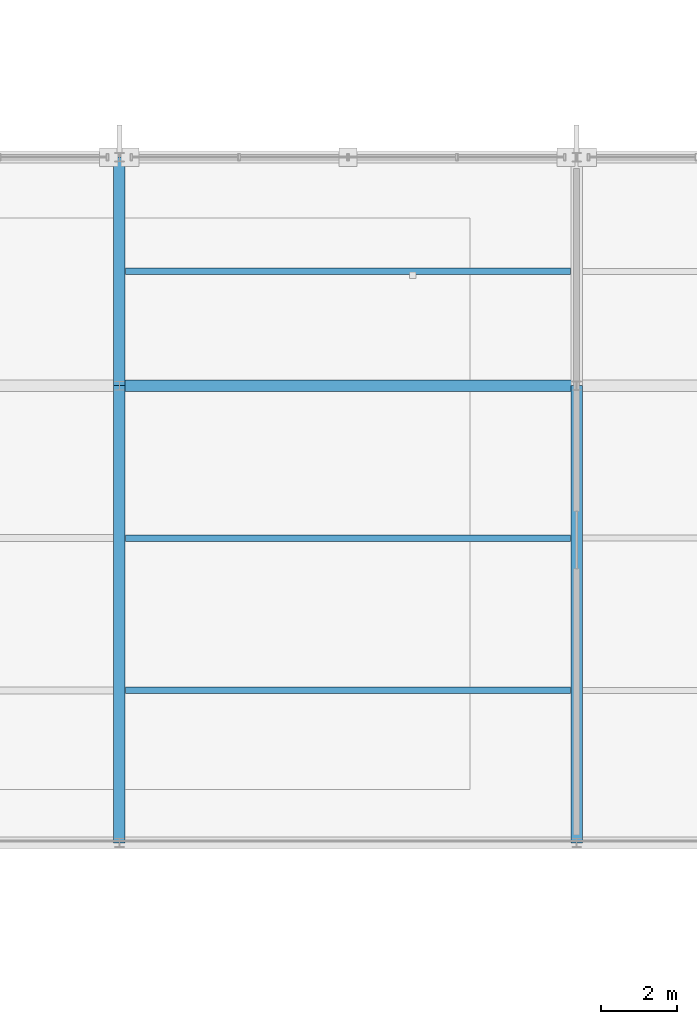
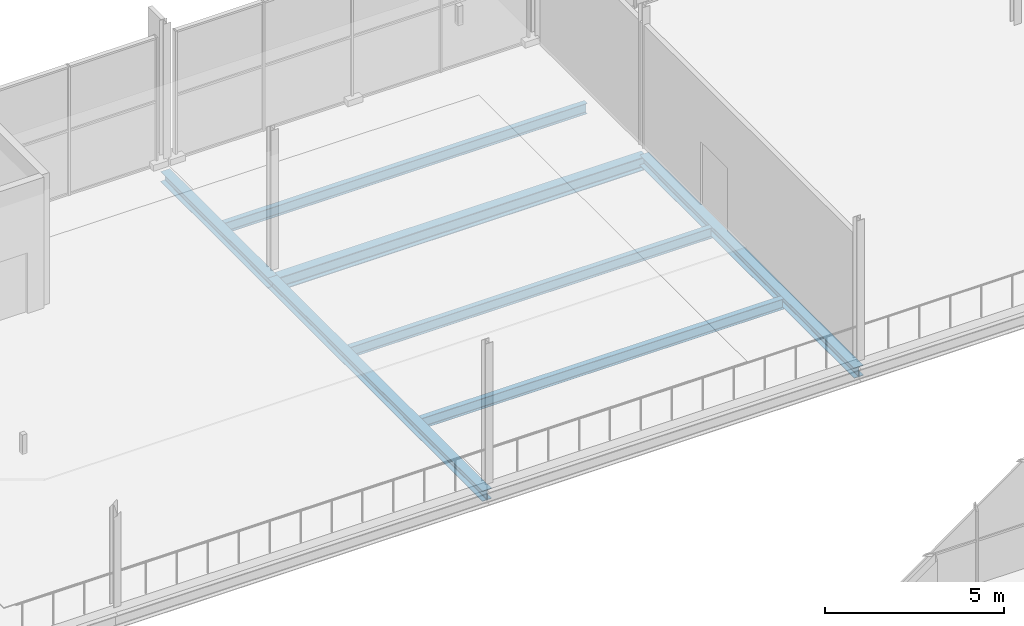
# One storey, part 65 of 159: 7 beams.
"""IFC4 building model written with IfcOpenShell, lengths in metres."""

from ifc_helpers import new_model, si_unit, direction, frame, origin, origin_2d, place, context, subcontext, project, spatial, i_section, extrude, material, material_profile, profile_set, type_object, element, save


model = new_model("IFC4")

# Units and contexts
model_context = context("Model", 3, precision=1e-05, world=origin(), true_north=direction((0.0, 1.0)))
body_context = subcontext(model_context, "Body", "Model", "MODEL_VIEW")
ifc_project = project(units=[si_unit("LENGTHUNIT", "METRE"), si_unit("AREAUNIT", "SQUARE_METRE"), si_unit("VOLUMEUNIT", "CUBIC_METRE"), si_unit("PLANEANGLEUNIT", "RADIAN"), si_unit("MASSUNIT", "GRAM", prefix="KILO")], contexts=[model_context])

# Site, building, storey
site_placement = place(None, origin())
site = spatial("IfcSite", under=ifc_project, at=site_placement, CompositionType="ELEMENT")
building_placement = place(site_placement, origin())
building = spatial("IfcBuilding", under=site, at=building_placement, Name="Merenkruunu Market Hall", CompositionType="ELEMENT")
storey_placement = place(building_placement, frame((0.0, 0.0, 5.39990234375)))
storey = spatial("IfcBuildingStorey", under=building, at=storey_placement, Name="L01", CompositionType="ELEMENT", Elevation=5.39990234375)

# Beams
ifc_material = material(Name="Steel S355J2", Category="steel")
ifc_material_profile_1 = material_profile(ifc_material, i_section(OverallWidth=0.300048828125, OverallDepth=0.449951171875, WebThickness=0.013916015625, FlangeThickness=0.02587890625, FilletRadius=0.027099609375, at=origin_2d()), Name="HEB 450")
ifc_profile_set_1 = profile_set([ifc_material_profile_1], Name="Steel S355J2")
beam_type_1 = type_object("IfcBeamType", Name="Primary Floor Girder B03", PredefinedType="BEAM", material=ifc_profile_set_1)
beam_1_placement = place(storey_placement, frame((112.800048828125, 39.60009765625, -0.5048828125), z_axis=(1.0, 0.0, 0.0), x_axis=(0.0, 1.0, 0.0)))
element("IfcBeam", 1, at=beam_1_placement, inside=storey, type_object=beam_type_1, Name="BM-L01-B03-0500", PredefinedType="BEAM", context=body_context, shape_type="SweptSolid", body=[
    extrude(i_section(OverallWidth=0.300048828125, OverallDepth=0.449951171875, WebThickness=0.013916015625, FlangeThickness=0.02587890625, FilletRadius=0.027099609375, at=origin_2d()), origin(), (0.0, 0.0, 1.0), 12.0),
])
ifc_material_profile_2 = material_profile(ifc_material, i_section(OverallWidth=0.300048828125, OverallDepth=0.35009765625, WebThickness=0.010009765625, FlangeThickness=0.017578125, FilletRadius=0.027099609375, at=origin_2d()), Name="HEA 360")
ifc_profile_set_2 = profile_set([ifc_material_profile_2], Name="Steel S355J2")
beam_type_2 = type_object("IfcBeamType", Name="Primary Floor Girder B08", PredefinedType="BEAM", material=ifc_profile_set_2)
beam_2_placement = place(storey_placement, frame((112.800048828125, 27.60009765625, -0.454833984375), z_axis=(0.0, 1.0, 0.0), x_axis=(-1.0, 0.0, 0.0)))
element("IfcBeam", 2, at=beam_2_placement, inside=storey, type_object=beam_type_2, Name="BM-L01-B08-0609", PredefinedType="BEAM", context=body_context, shape_type="SweptSolid", body=[
    extrude(i_section(OverallWidth=0.300048828125, OverallDepth=0.35009765625, WebThickness=0.010009765625, FlangeThickness=0.017578125, FilletRadius=0.027099609375, at=origin_2d()), origin(), (0.0, 0.0, 1.0), 12.0),
])
beam_3_placement = place(storey_placement, frame((112.800048828125, 39.60009765625, -0.454833984375), z_axis=(0.0, 1.0, 0.0), x_axis=(-1.0, 0.0, 0.0)))
element("IfcBeam", 3, at=beam_3_placement, inside=storey, type_object=beam_type_2, Name="BM-L01-B08-0610", PredefinedType="BEAM", context=body_context, shape_type="SweptSolid", body=[
    extrude(i_section(OverallWidth=0.300048828125, OverallDepth=0.35009765625, WebThickness=0.010009765625, FlangeThickness=0.017578125, FilletRadius=0.027099609375, at=origin_2d()), origin(), (0.0, 0.0, 1.0), 6.0),
])
beam_4_placement = place(storey_placement, frame((124.800048828125, 27.60009765625, -0.454833984375), z_axis=(0.0, 1.0, 0.0), x_axis=(-1.0, 0.0, 0.0)))
element("IfcBeam", 4, at=beam_4_placement, inside=storey, type_object=beam_type_2, Name="BM-L01-B08-0611", PredefinedType="BEAM", context=body_context, shape_type="SweptSolid", body=[
    extrude(i_section(OverallWidth=0.300048828125, OverallDepth=0.35009765625, WebThickness=0.010009765625, FlangeThickness=0.017578125, FilletRadius=0.027099609375, at=origin_2d()), origin(), (0.0, 0.0, 1.0), 12.0),
])
ifc_material_profile_3 = material_profile(ifc_material, i_section(OverallWidth=0.169921875, OverallDepth=0.360107421875, WebThickness=0.008056640625, FlangeThickness=0.0126953125, FilletRadius=0.01806640625, at=origin_2d()), Name="IPE 360")
ifc_profile_set_3 = profile_set([ifc_material_profile_3], Name="Steel S355J2")
beam_type_3 = type_object("IfcBeamType", Name="Secondary Floor Joist J03", PredefinedType="JOIST", material=ifc_profile_set_3)
for number, where, z_axis, x_axis, name in (
    (5, (112.952880859375, 31.60009765625, -0.4599609375), (1.0, 0.0, 0.0), (0.0, 1.0, 0.0), "BM-L01-J03-0693"),
    (6, (112.952880859375, 35.60009765625, -0.4599609375), (1.0, 0.0, 0.0), (0.0, 1.0, 0.0), "BM-L01-J03-0694"),
    (7, (112.952880859375, 42.60009765625, -0.4599609375), (1.0, 0.0, 0.0), (0.0, 1.0, 0.0), "BM-L01-J03-0695"),
):
    element("IfcBeam", number, at=place(storey_placement, frame(where, z_axis=z_axis, x_axis=x_axis)), inside=storey, type_object=beam_type_3, Name=name, PredefinedType="JOIST", context=body_context, shape_type="SweptSolid", body=[
        extrude(i_section(OverallWidth=0.169921875, OverallDepth=0.360107421875, WebThickness=0.008056640625, FlangeThickness=0.0126953125, FilletRadius=0.01806640625, at=origin_2d()), origin(), (0.0, 0.0, 1.0), 11.694091796875),
    ])

save(model, "model.ifc")
